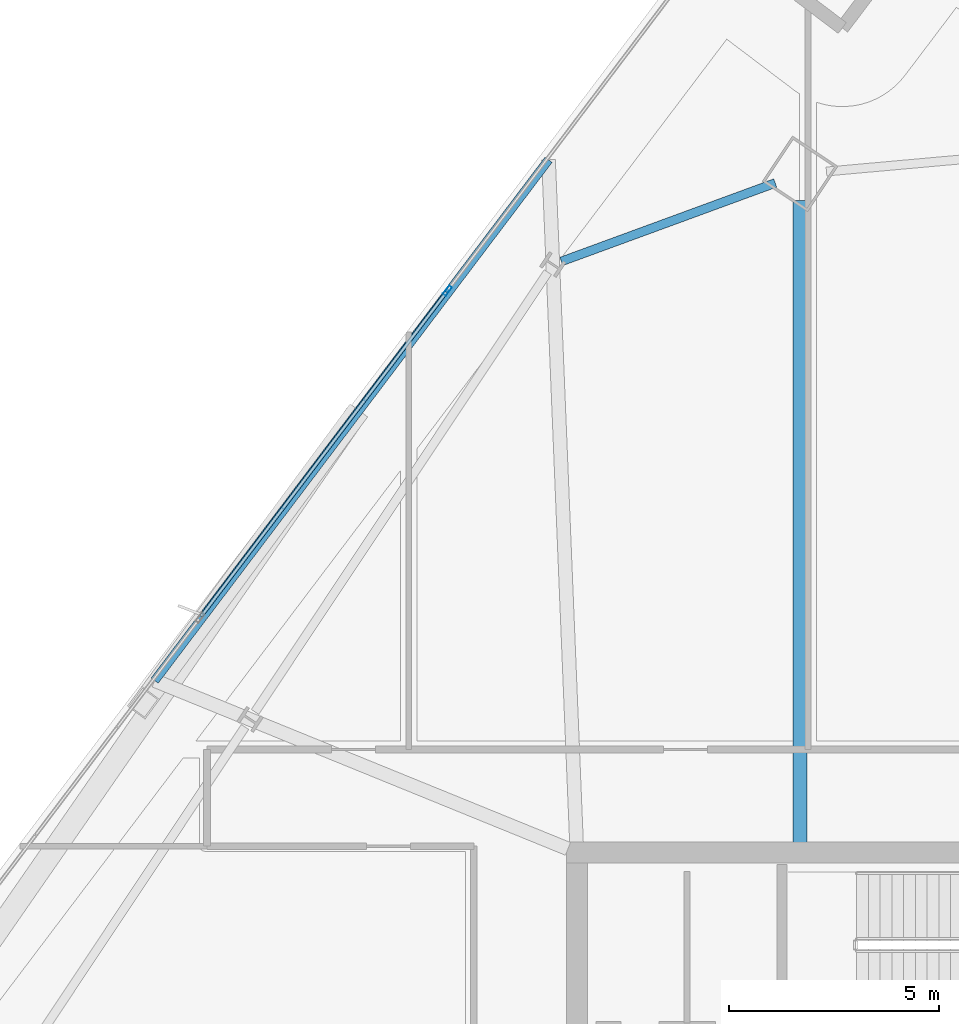
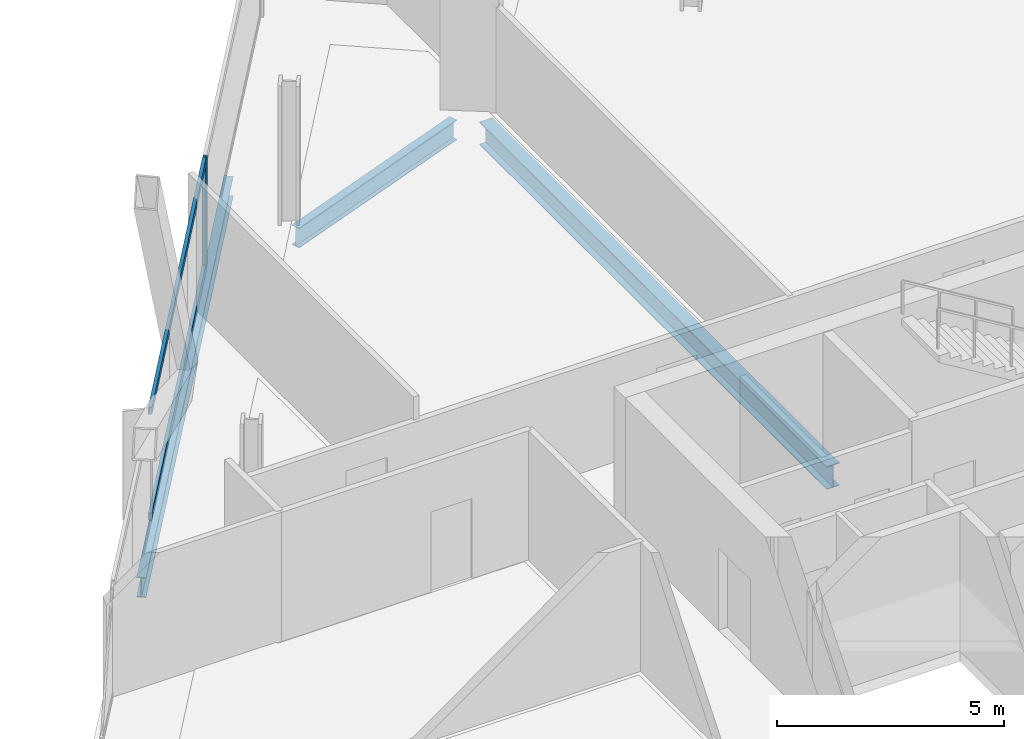
# One storey, part 19 of 34: 3 beams, 3 members, 1 element without a shape of its own.
"""IFC4 building model written with IfcOpenShell, lengths in metres."""

from ifc_helpers import new_model, si_unit, direction, frame, origin, origin_2d, place, context, subcontext, project, spatial, hollow_rectangle, i_section, extrude, material, material_profile, profile_set, type_object, element, aggregate, save


model = new_model("IFC4")

# Units and contexts
model_context = context("Model", 3, precision=1e-05, world=origin(), true_north=direction((0.0, 1.0)))
body_context = subcontext(model_context, "Body", "Model", "MODEL_VIEW")
ifc_project = project(units=[si_unit("LENGTHUNIT", "METRE"), si_unit("AREAUNIT", "SQUARE_METRE"), si_unit("VOLUMEUNIT", "CUBIC_METRE"), si_unit("PLANEANGLEUNIT", "RADIAN"), si_unit("MASSUNIT", "GRAM", prefix="KILO")], contexts=[model_context])

# Site, building, storey
site_placement = place(None, origin())
site = spatial("IfcSite", under=ifc_project, at=site_placement, CompositionType="ELEMENT")
building_placement = place(site_placement, origin())
building = spatial("IfcBuilding", under=site, at=building_placement, Name="Haldenkirk Collegiate Tower", CompositionType="ELEMENT")
storey_placement = place(building_placement, frame((0.0, 0.0, 205.949951171875)))
storey = spatial("IfcBuildingStorey", under=building, at=storey_placement, Name="L51", CompositionType="ELEMENT", Elevation=205.949951171875)

# Beams
ifc_material_1 = material(Name="Steel ASTM A992 Grade 50", Category="steel")
ifc_material_profile_1 = material_profile(ifc_material_1, i_section(OverallWidth=0.324951171875, OverallDepth=0.615966796875, WebThickness=0.013916015625, FlangeThickness=0.021484375, at=origin_2d()), Name="W24X117")
ifc_profile_set_1 = profile_set([ifc_material_profile_1], Name="Steel ASTM A992 Grade 50")
beam_type_1 = type_object("IfcBeamType", Name="BM-GIRDER-W24X117", PredefinedType="BEAM", material=ifc_profile_set_1)
beam_1_placement = place(storey_placement, frame((32.30810546875, 49.5107421875, -0.587890625), z_axis=(0.0, -1.0, 0.0), x_axis=(1.0, 0.0, 0.0)))
element("IfcBeam", 1, at=beam_1_placement, inside=storey, type_object=beam_type_1, Name="L51 primary floor girder 03", PredefinedType="BEAM", context=body_context, shape_type="SweptSolid", body=[
    extrude(i_section(OverallWidth=0.324951171875, OverallDepth=0.615966796875, WebThickness=0.013916015625, FlangeThickness=0.021484375, at=origin_2d()), origin(), (0.0, 0.0, 1.0), 15.28076171875),
])
ifc_material_profile_2 = material_profile(ifc_material_1, i_section(OverallWidth=0.2099609375, OverallDepth=0.537109375, WebThickness=0.010986328125, FlangeThickness=0.017333984375, at=origin_2d()), Name="W21X68")
ifc_profile_set_2 = profile_set([ifc_material_profile_2], Name="Steel ASTM A992 Grade 50")
beam_type_2 = type_object("IfcBeamType", Name="BM-SPANDREL-W21X68", PredefinedType="SPANDREL", material=ifc_profile_set_2)
beam_2_placement = place(storey_placement, frame((31.716796875, 49.923828125, -0.54833984375), z_axis=(-0.938842319963, -0.344347351153, 0.0), x_axis=(0.344347351153, -0.938842319963, 0.0)))
element("IfcBeam", 2, at=beam_2_placement, inside=storey, type_object=beam_type_2, Name="L51 perimeter spandrel beam 09", PredefinedType="SPANDREL", context=body_context, shape_type="SweptSolid", body=[
    extrude(i_section(OverallWidth=0.2099609375, OverallDepth=0.537109375, WebThickness=0.010986328125, FlangeThickness=0.017333984375, at=origin_2d()), origin(), (0.0, 0.0, 1.0), 5.416748046875),
])
beam_3_placement = place(storey_placement, frame((26.32568359375, 50.4755859375, -0.54833984375), z_axis=(-0.603202196055, -0.797588309013, 0.0), x_axis=(0.797588309013, -0.603202196055, 0.0)))
element("IfcBeam", 3, at=beam_3_placement, inside=storey, type_object=beam_type_2, Name="L51 outer facade edge beam 3", PredefinedType="SPANDREL", context=body_context, shape_type="SweptSolid", body=[
    extrude(i_section(OverallWidth=0.2099609375, OverallDepth=0.537109375, WebThickness=0.010986328125, FlangeThickness=0.017333984375, at=origin_2d()), origin(), (0.0, 0.0, 1.0), 15.530029296875),
])

# Curtain wall, members
ifc_material_2 = material(Name="Anodised architectural bronze aluminium", Category="aluminium")
curtain_wall_type = type_object("IfcCurtainWallType", Name="CW-SYS1B-CONVEX-HI", PredefinedType="USERDEFINED", material=ifc_material_2)
curtain_wall_placement = place(storey_placement, origin())
curtain_wall = element("IfcCurtainWall", 4, at=curtain_wall_placement, inside=storey, type_object=curtain_wall_type, Name="L51 Upper tower high-wind convex bronze unitised curtain wall", ObjectType="UNITISED CURTAIN WALL", PredefinedType="USERDEFINED")
ifc_material_profile_3 = material_profile(ifc_material_2, hollow_rectangle(XDim=0.0849609375, YDim=0.25, WallThickness=0.0048828125, at=origin_2d()), Name="CW-MUL-1B")
ifc_profile_set_3 = profile_set([ifc_material_profile_3], Name="Anodised architectural bronze aluminium")
member_type_1 = type_object("IfcMemberType", Name="CW-MUL-1B", PredefinedType="MULLION", material=ifc_profile_set_3)
member_1_placement = place(storey_placement, frame((23.919677734375, 47.360595703125, 0.0), z_axis=(0.0, 0.0, 1.0), x_axis=(-0.797584320771, 0.6032074695, 0.0)))
member_1 = element("IfcMember", 5, at=member_1_placement, type_object=member_type_1, Name="CW-1B mullion 4", PredefinedType="MULLION", context=body_context, shape_type="SweptSolid", body=[
    extrude(hollow_rectangle(XDim=0.0849609375, YDim=0.25, WallThickness=0.0048828125, at=origin_2d()), origin(), (0.0, 0.0, 1.0), 2.927978515625),
])
ifc_material_profile_4 = material_profile(ifc_material_2, hollow_rectangle(XDim=0.0849609375, YDim=0.199951171875, WallThickness=0.0048828125, at=origin_2d()), Name="CW-TRN-1B")
ifc_profile_set_4 = profile_set([ifc_material_profile_4], Name="Anodised architectural bronze aluminium")
member_type_2 = type_object("IfcMemberType", Name="CW-TRN-1B", PredefinedType="USERDEFINED", material=ifc_profile_set_4)
member_2_placement = place(storey_placement, frame((18.06396484375, 39.6181640625, 0.04248046875), z_axis=(0.603220382634, 0.797574554493, 0.0), x_axis=(-0.797574554493, 0.603220382634, 0.0)))
member_2 = element("IfcMember", 6, at=member_2_placement, type_object=member_type_2, Name="CW-1B transom 3.1", ObjectType="TRANSOM", PredefinedType="USERDEFINED", context=body_context, shape_type="SweptSolid", body=[
    extrude(hollow_rectangle(XDim=0.0849609375, YDim=0.199951171875, WallThickness=0.0048828125, at=origin_2d()), origin(), (0.0, 0.0, 1.0), 9.6650390625),
])
member_3_placement = place(storey_placement, frame((18.06396484375, 39.6181640625, 2.885498046875), z_axis=(0.603220382634, 0.797574554493, 0.0), x_axis=(-0.797574554493, 0.603220382634, 0.0)))
member_3 = element("IfcMember", 7, at=member_3_placement, type_object=member_type_2, Name="CW-1B transom 3.2", ObjectType="TRANSOM", PredefinedType="USERDEFINED", context=body_context, shape_type="SweptSolid", body=[
    extrude(hollow_rectangle(XDim=0.0849609375, YDim=0.199951171875, WallThickness=0.0048828125, at=origin_2d()), origin(), (0.0, 0.0, 1.0), 9.6650390625),
])
aggregate(curtain_wall, [member_1, member_2, member_3])

save(model, "model.ifc")
